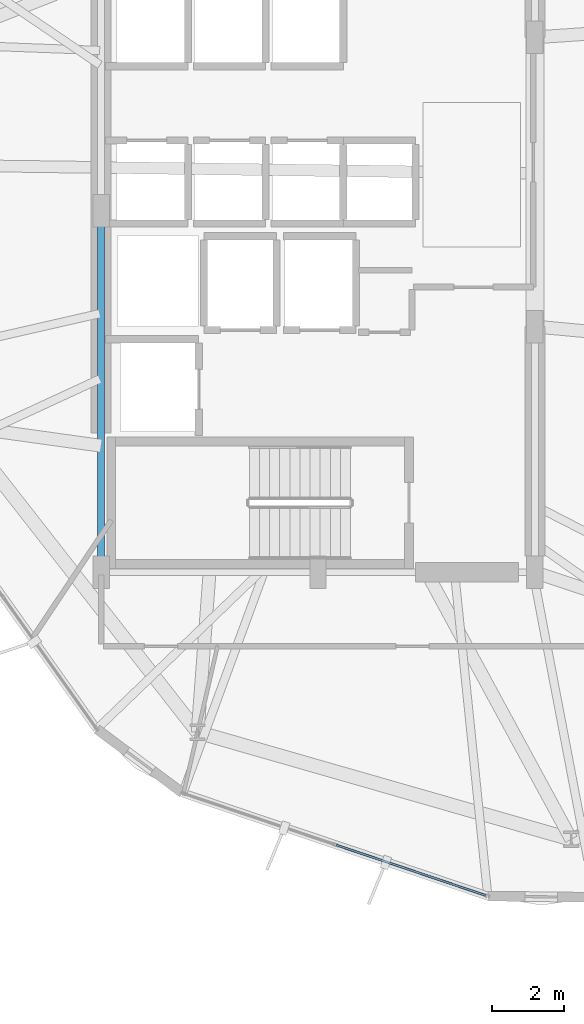
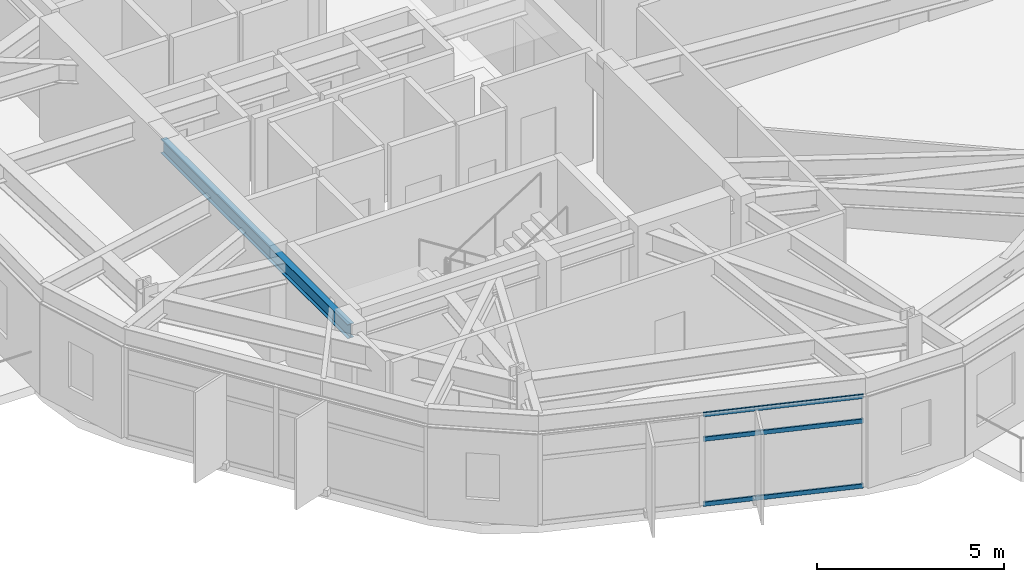
# One storey, part 4 of 27: 3 members, 1 beam, 1 element without a shape of its own.
"""IFC4 building model written with IfcOpenShell, lengths in metres."""

from ifc_helpers import new_model, si_unit, direction, frame, origin, origin_2d, place, context, subcontext, project, spatial, hollow_rectangle, i_section, extrude, material, layer, layer_set, material_profile, profile_set, type_object, element, aggregate, save


model = new_model("IFC4")

# Units and contexts
model_context = context("Model", 3, precision=1e-05, world=origin(), true_north=direction((0.0, 1.0)))
body_context = subcontext(model_context, "Body", "Model", "MODEL_VIEW")
ifc_project = project(units=[si_unit("LENGTHUNIT", "METRE"), si_unit("AREAUNIT", "SQUARE_METRE"), si_unit("VOLUMEUNIT", "CUBIC_METRE"), si_unit("PLANEANGLEUNIT", "RADIAN"), si_unit("MASSUNIT", "GRAM", prefix="KILO")], contexts=[model_context])

# Site, building, storey
site_placement = place(None, origin())
site = spatial("IfcSite", under=ifc_project, at=site_placement, CompositionType="ELEMENT")
building_placement = place(site_placement, origin())
building = spatial("IfcBuilding", under=site, at=building_placement, Name="Soratama Intermodal Tower", CompositionType="ELEMENT")
storey_placement = place(building_placement, frame((0.0, 0.0, 95.199951171875)))
storey = spatial("IfcBuildingStorey", under=building, at=storey_placement, Name="L22", CompositionType="ELEMENT", Elevation=95.199951171875)

# Beam
ifc_material_1 = material(Name="Structural steel ASTM A992 Grade 50", Category="steel")
ifc_material_profile_1 = material_profile(ifc_material_1, i_section(OverallWidth=0.19091796875, OverallDepth=0.4599609375, WebThickness=0.010009765625, FlangeThickness=0.01611328125, FilletRadius=0.010986328125, at=origin_2d()), Name="W18X55")
ifc_profile_set_1 = profile_set([ifc_material_profile_1], Name="Structural steel ASTM A992 Grade 50")
beam_type = type_object("IfcBeamType", Name="BM-FLR-W18X55", PredefinedType="BEAM", material=ifc_profile_set_1)
beam_placement = place(storey_placement, frame((32.60009765625, 25.0, 3.3701171875), z_axis=(0.0, -1.0, 0.0), x_axis=(1.0, 0.0, 0.0)))
element("IfcBeam", 1, at=beam_placement, inside=storey, type_object=beam_type, Name="BM-L22-CRING-09", PredefinedType="BEAM", context=body_context, shape_type="SweptSolid", body=[
    extrude(i_section(OverallWidth=0.19091796875, OverallDepth=0.4599609375, WebThickness=0.010009765625, FlangeThickness=0.01611328125, FilletRadius=0.010986328125, at=origin_2d()), origin(), (0.0, 0.0, 1.0), 10.0),
])

# Curtain wall, members
ifc_material_2 = material(Name="Double-glazed aluminium curtain wall", Category="aluminium")
ifc_layer = layer(ifc_material_2, 0.159912109375)
ifc_layer_set = layer_set([ifc_layer], Name="Double-glazed aluminium curtain wall")
curtain_wall_type = type_object("IfcCurtainWallType", Name="CW-SYS-3", PredefinedType="NOTDEFINED", material=ifc_layer_set)
curtain_wall_placement = place(storey_placement, origin())
curtain_wall = element("IfcCurtainWall", 2, at=curtain_wall_placement, inside=storey, type_object=curtain_wall_type, Name="L22 Faceted Curtain Wall F07", PredefinedType="NOTDEFINED")
ifc_material_3 = material(Name="Anodised aluminium AA 6063-T6", Category="aluminium")
ifc_material_profile_2 = material_profile(ifc_material_3, hollow_rectangle(XDim=0.06494140625, YDim=0.14990234375, WallThickness=0.0048828125, InnerFilletRadius=0.0048828125, OuterFilletRadius=0.010009765625, at=origin_2d()), Name="CWT150X65X5")
ifc_profile_set_2 = profile_set([ifc_material_profile_2], Name="Anodised aluminium AA 6063-T6")
member_type = type_object("IfcMemberType", Name="TT-CWT-1", PredefinedType="USERDEFINED", material=ifc_profile_set_2)
member_1_placement = place(storey_placement, frame((39.1064453125, 7.45458984375, 0.030029296875), z_axis=(0.947428490855, -0.319967583851, 0.0), x_axis=(0.319967583851, 0.947428490855, 0.0)))
member_1 = element("IfcMember", 3, at=member_1_placement, type_object=member_type, Name="CW-3 transom 2.1", ObjectType="TRANSOM", PredefinedType="USERDEFINED", context=body_context, shape_type="SweptSolid", body=[
    extrude(hollow_rectangle(XDim=0.06494140625, YDim=0.14990234375, WallThickness=0.0048828125, InnerFilletRadius=0.0048828125, OuterFilletRadius=0.010009765625, at=origin_2d()), origin(), (0.0, 0.0, 1.0), 4.364501953125),
])
member_2_placement = place(storey_placement, frame((39.1064453125, 7.45458984375, 2.150146484375), z_axis=(0.947428490855, -0.319967583851, 0.0), x_axis=(0.319967583851, 0.947428490855, 0.0)))
member_2 = element("IfcMember", 4, at=member_2_placement, type_object=member_type, Name="CW-3 transom 2.2", ObjectType="TRANSOM", PredefinedType="USERDEFINED", context=body_context, shape_type="SweptSolid", body=[
    extrude(hollow_rectangle(XDim=0.06494140625, YDim=0.14990234375, WallThickness=0.0048828125, InnerFilletRadius=0.0048828125, OuterFilletRadius=0.010009765625, at=origin_2d()), origin(), (0.0, 0.0, 1.0), 4.364501953125),
])
member_3_placement = place(storey_placement, frame((39.1064453125, 7.45458984375, 2.948974609375), z_axis=(0.947428490855, -0.319967583851, 0.0), x_axis=(0.319967583851, 0.947428490855, 0.0)))
member_3 = element("IfcMember", 5, at=member_3_placement, type_object=member_type, Name="CW-3 transom 2.3", ObjectType="TRANSOM", PredefinedType="USERDEFINED", context=body_context, shape_type="SweptSolid", body=[
    extrude(hollow_rectangle(XDim=0.06494140625, YDim=0.14990234375, WallThickness=0.0048828125, InnerFilletRadius=0.0048828125, OuterFilletRadius=0.010009765625, at=origin_2d()), origin(), (0.0, 0.0, 1.0), 4.364501953125),
])
aggregate(curtain_wall, [member_1, member_2, member_3])

save(model, "model.ifc")
